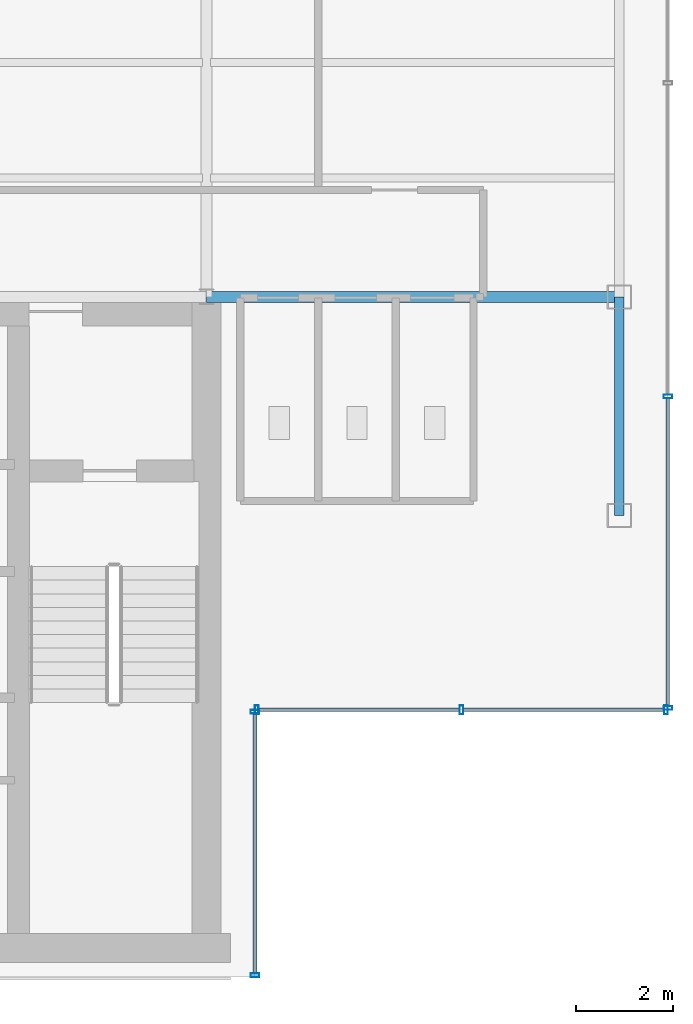
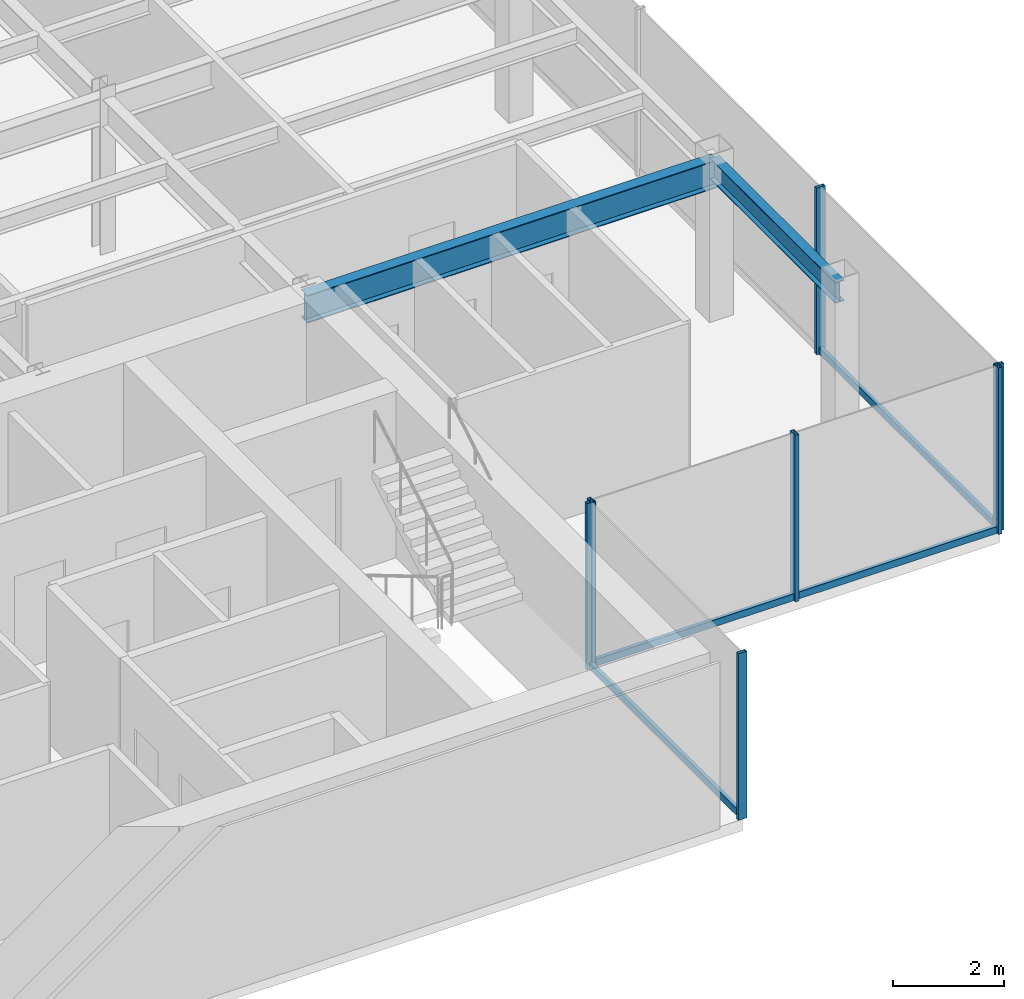
# One storey, part 9 of 22: 11 members, 2 beams, 3 elements without a shape of their own.
"""IFC4 building model written with IfcOpenShell, lengths in metres."""

from ifc_helpers import new_model, si_unit, derived_unit, direction, frame, origin, origin_2d, place, context, subcontext, project, spatial, hollow_rectangle, i_section, extrude, source, transform, mapped, material, material_profile, profile_set, type_object, element, aggregate, save


model = new_model("IFC4")

# Units and contexts
model_context = context("Model", 3, precision=1e-05, world=origin(), true_north=direction((0.0, 1.0)))
body_context = subcontext(model_context, "Body", "Model", "MODEL_VIEW")
ifc_project = project(units=[si_unit("LENGTHUNIT", "METRE"), si_unit("AREAUNIT", "SQUARE_METRE"), si_unit("VOLUMEUNIT", "CUBIC_METRE"), si_unit("PLANEANGLEUNIT", "RADIAN"), si_unit("MASSUNIT", "GRAM", prefix="KILO"), derived_unit("THERMALTRANSMITTANCEUNIT", [(si_unit("POWERUNIT", "WATT"), 1), (si_unit("LENGTHUNIT", "METRE"), -2), (si_unit("THERMODYNAMICTEMPERATUREUNIT", "KELVIN"), -1)])], contexts=[model_context])

# Site, building, storey
site_placement = place(None, origin())
site = spatial("IfcSite", under=ifc_project, at=site_placement, CompositionType="ELEMENT")
building_placement = place(site_placement, origin())
building = spatial("IfcBuilding", under=site, at=building_placement, Name="Skarnbrae Concourse Arena and Tower", CompositionType="ELEMENT")
storey_placement = place(building_placement, frame((0.0, 0.0, 225.10009765625)))
storey = spatial("IfcBuildingStorey", under=building, at=storey_placement, Name="L58", CompositionType="ELEMENT", Elevation=225.10009765625)

# Beams
ifc_material_1 = material(Name="Steel CSA G40.21 350W", Category="steel")
ifc_material_profile_1 = material_profile(ifc_material_1, i_section(OverallWidth=0.22802734375, OverallDepth=0.60791015625, WebThickness=0.01123046875, FlangeThickness=0.017333984375, at=origin_2d()), Name="W610X113")
ifc_profile_set_1 = profile_set([ifc_material_profile_1], Name="Steel CSA G40.21 350W")
beam_type_1 = type_object("IfcBeamType", Name="BM-GIRD-W610X113", PredefinedType="BEAM", material=ifc_profile_set_1)
shared_shape_1 = source(origin(), body_context, "Body", "SweptSolid", [
    extrude(i_section(OverallWidth=0.22802734375, OverallDepth=0.60791015625, WebThickness=0.01123046875, FlangeThickness=0.017333984375, at=origin_2d()), origin(), (0.0, 0.0, 1.0), 8.5),
])
beam_1_placement = place(storey_placement, frame((33.5, 14.0, 3.095947265625), z_axis=(1.0, 0.0, 0.0), x_axis=(0.0, 1.0, 0.0)))
element("IfcBeam", 1, at=beam_1_placement, inside=storey, type_object=beam_type_1, Name="L58 Primary E-W girder Y14.0-6", PredefinedType="BEAM", context=body_context, shape_type="MappedRepresentation", body=[
    mapped(shared_shape_1, transform((0.0, 0.0, 0.0))),
])
ifc_material_profile_2 = material_profile(ifc_material_1, i_section(OverallWidth=0.19091796875, OverallDepth=0.4599609375, WebThickness=0.010009765625, FlangeThickness=0.01611328125, at=origin_2d()), Name="W460X82")
ifc_profile_set_2 = profile_set([ifc_material_profile_2], Name="Steel CSA G40.21 350W")
beam_type_2 = type_object("IfcBeamType", Name="BM-SPAN-W460X82", PredefinedType="SPANDREL", material=ifc_profile_set_2)
shared_shape_2 = source(origin(), body_context, "Body", "SweptSolid", [
    extrude(i_section(OverallWidth=0.19091796875, OverallDepth=0.4599609375, WebThickness=0.010009765625, FlangeThickness=0.01611328125, at=origin_2d()), origin(), (0.0, 0.0, 1.0), 4.5),
])
beam_2_placement = place(storey_placement, frame((42.0, 9.5, 3.169921875), z_axis=(0.0, 1.0, 0.0), x_axis=(-1.0, 0.0, 0.0)))
element("IfcBeam", 2, at=beam_2_placement, inside=storey, type_object=beam_type_2, Name="L58 Perimeter spandrel X42.0-1", PredefinedType="SPANDREL", context=body_context, shape_type="MappedRepresentation", body=[
    mapped(shared_shape_2, transform((0.0, 0.0, 0.0))),
])

# Curtain wall, members
ifc_material_2 = material(Name="Bronze anodised aluminium 6063-T6", Category="aluminium")
curtain_wall_type = type_object("IfcCurtainWallType", Name="CW-SYS-05-HIGHZONE", PredefinedType="USERDEFINED", material=ifc_material_2)
curtain_wall_1_placement = place(storey_placement, origin())
curtain_wall_1 = element("IfcCurtainWall", 3, at=curtain_wall_1_placement, inside=storey, type_object=curtain_wall_type, Name="L58 Unitised curtain wall CW-L58-E02", ObjectType="UNITISED CURTAIN WALL", PredefinedType="USERDEFINED")
ifc_material_profile_3 = material_profile(ifc_material_2, hollow_rectangle(XDim=0.074951171875, YDim=0.179931640625, WallThickness=0.00390625, at=origin_2d()), Name="ALU-MULL-75X180")
ifc_profile_set_3 = profile_set([ifc_material_profile_3], Name="Bronze anodised aluminium 6063-T6")
member_type_1 = type_object("IfcMemberType", Name="CWM-CW-05", PredefinedType="MULLION", material=ifc_profile_set_3)
shared_shape_3 = source(origin(), body_context, "Body", "SweptSolid", [
    extrude(hollow_rectangle(XDim=0.074951171875, YDim=0.179931640625, WallThickness=0.00390625, at=origin_2d()), origin(), (0.0, 0.0, 1.0), 3.64990234375),
])
member_1_placement = place(storey_placement, frame((34.5, 0.03759765625, 0.0), z_axis=(0.0, 0.0, 1.0), x_axis=(0.0, 1.0, 0.0)))
member_1 = element("IfcMember", 4, at=member_1_placement, type_object=member_type_1, Name="CW-L58-E02 Mullion 1", PredefinedType="MULLION", context=body_context, shape_type="MappedRepresentation", body=[
    mapped(shared_shape_3, transform((0.0, 0.0, 0.0))),
])
member_2_placement = place(storey_placement, frame((34.5, 5.46240234375, 0.0), z_axis=(0.0, 0.0, 1.0), x_axis=(0.0, 1.0, 0.0)))
member_2 = element("IfcMember", 5, at=member_2_placement, type_object=member_type_1, Name="CW-L58-E02 Mullion 2", PredefinedType="MULLION", context=body_context, shape_type="MappedRepresentation", body=[
    mapped(shared_shape_3, transform((0.0, 0.0, 0.0))),
])

curtain_wall_2_placement = place(storey_placement, origin())
curtain_wall_2 = element("IfcCurtainWall", 6, at=curtain_wall_2_placement, inside=storey, type_object=curtain_wall_type, Name="L58 Unitised curtain wall CW-L58-E03", ObjectType="UNITISED CURTAIN WALL", PredefinedType="USERDEFINED")
member_3_placement = place(storey_placement, frame((34.53759765625, 5.5, 0.0), z_axis=(0.0, 0.0, 1.0), x_axis=(1.0, 0.0, 0.0)))
member_3 = element("IfcMember", 7, at=member_3_placement, type_object=member_type_1, Name="CW-L58-E03 Mullion 1", PredefinedType="MULLION", context=body_context, shape_type="MappedRepresentation", body=[
    mapped(shared_shape_3, transform((0.0, 0.0, 0.0))),
])
member_4_placement = place(storey_placement, frame((38.75, 5.5, 0.0), z_axis=(0.0, 0.0, 1.0), x_axis=(1.0, 0.0, 0.0)))
member_4 = element("IfcMember", 8, at=member_4_placement, type_object=member_type_1, Name="CW-L58-E03 Mullion 2", PredefinedType="MULLION", context=body_context, shape_type="MappedRepresentation", body=[
    mapped(shared_shape_3, transform((0.0, 0.0, 0.0))),
])
member_5_placement = place(storey_placement, frame((42.96240234375, 5.5, 0.0), z_axis=(0.0, 0.0, 1.0), x_axis=(1.0, 0.0, 0.0)))
member_5 = element("IfcMember", 9, at=member_5_placement, type_object=member_type_1, Name="CW-L58-E03 Mullion 3", PredefinedType="MULLION", context=body_context, shape_type="MappedRepresentation", body=[
    mapped(shared_shape_3, transform((0.0, 0.0, 0.0))),
])

curtain_wall_3_placement = place(storey_placement, origin())
curtain_wall_3 = element("IfcCurtainWall", 10, at=curtain_wall_3_placement, inside=storey, type_object=curtain_wall_type, Name="L58 Unitised curtain wall CW-L58-E04", ObjectType="UNITISED CURTAIN WALL", PredefinedType="USERDEFINED")
member_6_placement = place(storey_placement, frame((43.0, 5.53759765625, 0.0), z_axis=(0.0, 0.0, 1.0), x_axis=(0.0, 1.0, 0.0)))
member_6 = element("IfcMember", 11, at=member_6_placement, type_object=member_type_1, Name="CW-L58-E04 Mullion 1", PredefinedType="MULLION", context=body_context, shape_type="MappedRepresentation", body=[
    mapped(shared_shape_3, transform((0.0, 0.0, 0.0))),
])
member_7_placement = place(storey_placement, frame((43.0, 11.949951171875, 0.0), z_axis=(0.0, 0.0, 1.0), x_axis=(0.0, 1.0, 0.0)))
member_7 = element("IfcMember", 12, at=member_7_placement, type_object=member_type_1, Name="CW-L58-E04 Mullion 2", PredefinedType="MULLION", context=body_context, shape_type="MappedRepresentation", body=[
    mapped(shared_shape_3, transform((0.0, 0.0, 0.0))),
])

# Member
ifc_material_profile_4 = material_profile(ifc_material_2, hollow_rectangle(XDim=0.074951171875, YDim=0.14990234375, WallThickness=0.00390625, at=origin_2d()), Name="ALU-TRAN-75X150")
ifc_profile_set_4 = profile_set([ifc_material_profile_4], Name="Bronze anodised aluminium 6063-T6")
member_type_2 = type_object("IfcMemberType", Name="CWT-CW-05", PredefinedType="USERDEFINED", material=ifc_profile_set_4)
shared_shape_4 = source(origin(), body_context, "Body", "SweptSolid", [
    extrude(hollow_rectangle(XDim=0.074951171875, YDim=0.14990234375, WallThickness=0.00390625, at=origin_2d()), origin(), (0.0, 0.0, 1.0), 5.35009765625),
])
member_8_placement = place(storey_placement, frame((34.5, 0.074951171875, 0.074951171875), z_axis=(0.0, 1.0, 0.0), x_axis=(-1.0, 0.0, 0.0)))
member_8 = element("IfcMember", 13, at=member_8_placement, type_object=member_type_2, Name="CW-L58-E02 Transom 1", ObjectType="TRANSOM", PredefinedType="USERDEFINED", context=body_context, shape_type="MappedRepresentation", body=[
    mapped(shared_shape_4, transform((0.0, 0.0, 0.0))),
])

aggregate(curtain_wall_1, [member_1, member_2, member_8])

shared_shape_5 = source(origin(), body_context, "Body", "SweptSolid", [
    extrude(hollow_rectangle(XDim=0.074951171875, YDim=0.14990234375, WallThickness=0.00390625, at=origin_2d()), origin(), (0.0, 0.0, 1.0), 4.137451171875),
])
member_9_placement = place(storey_placement, frame((34.574951171875, 5.5, 0.074951171875), z_axis=(1.0, 0.0, 0.0), x_axis=(0.0, 1.0, 0.0)))
member_9 = element("IfcMember", 14, at=member_9_placement, type_object=member_type_2, Name="CW-L58-E03 Transom 1", ObjectType="TRANSOM", PredefinedType="USERDEFINED", context=body_context, shape_type="MappedRepresentation", body=[
    mapped(shared_shape_5, transform((0.0, 0.0, 0.0))),
])

member_10_placement = place(storey_placement, frame((38.78759765625, 5.5, 0.074951171875), z_axis=(1.0, 0.0, 0.0), x_axis=(0.0, 1.0, 0.0)))
member_10 = element("IfcMember", 15, at=member_10_placement, type_object=member_type_2, Name="CW-L58-E03 Transom 2", ObjectType="TRANSOM", PredefinedType="USERDEFINED", context=body_context, shape_type="MappedRepresentation", body=[
    mapped(shared_shape_5, transform((0.0, 0.0, 0.0))),
])

aggregate(curtain_wall_2, [member_3, member_4, member_5, member_9, member_10])

shared_shape_6 = source(origin(), body_context, "Body", "SweptSolid", [
    extrude(hollow_rectangle(XDim=0.074951171875, YDim=0.14990234375, WallThickness=0.00390625, at=origin_2d()), origin(), (0.0, 0.0, 1.0), 6.337646484375),
])
member_11_placement = place(storey_placement, frame((43.0, 5.574951171875, 0.074951171875), z_axis=(0.0, 1.0, 0.0), x_axis=(-1.0, 0.0, 0.0)))
member_11 = element("IfcMember", 16, at=member_11_placement, type_object=member_type_2, Name="CW-L58-E04 Transom 1", ObjectType="TRANSOM", PredefinedType="USERDEFINED", context=body_context, shape_type="MappedRepresentation", body=[
    mapped(shared_shape_6, transform((0.0, 0.0, 0.0))),
])

aggregate(curtain_wall_3, [member_6, member_7, member_11])

save(model, "model.ifc")
